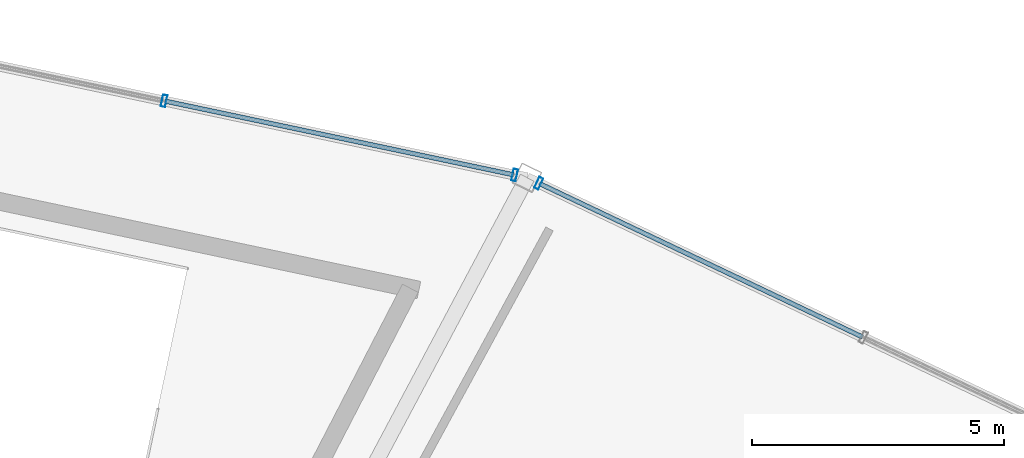
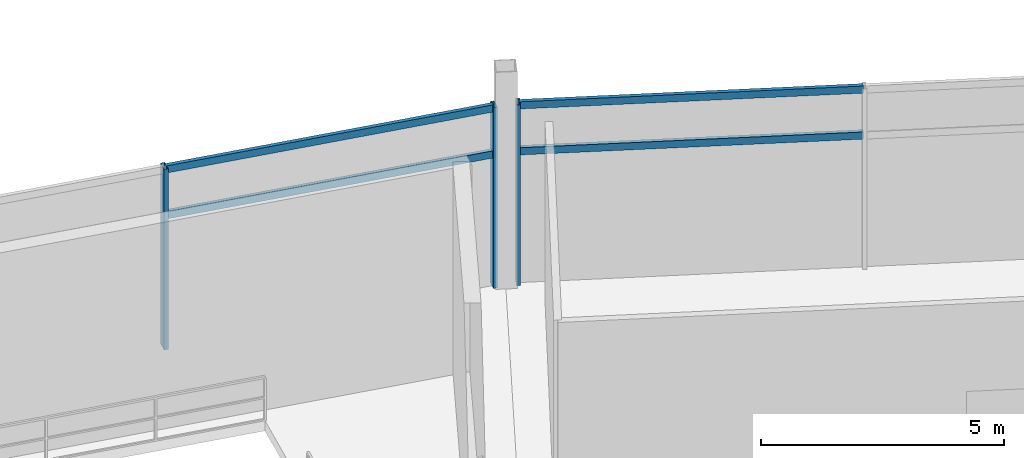
# One storey, part 66 of 103: 7 members, 2 elements without a shape of their own.
"""IFC4 building model written with IfcOpenShell, lengths in metres."""

from ifc_helpers import new_model, si_unit, direction, frame, origin, origin_2d, place, context, subcontext, project, spatial, hollow_rectangle, extrude, material, layer, layer_set, material_profile, profile_set, type_object, element, aggregate, save


model = new_model("IFC4")

# Units and contexts
model_context = context("Model", 3, precision=1e-05, world=origin(), true_north=direction((0.0, 1.0)))
body_context = subcontext(model_context, "Body", "Model", "MODEL_VIEW")
ifc_project = project(units=[si_unit("LENGTHUNIT", "METRE"), si_unit("AREAUNIT", "SQUARE_METRE"), si_unit("VOLUMEUNIT", "CUBIC_METRE"), si_unit("PLANEANGLEUNIT", "RADIAN"), si_unit("MASSUNIT", "GRAM", prefix="KILO")], contexts=[model_context])

# Site, building, storey
site_placement = place(None, origin())
site = spatial("IfcSite", under=ifc_project, at=site_placement, CompositionType="ELEMENT")
building_placement = place(site_placement, origin())
building = spatial("IfcBuilding", under=site, at=building_placement, Name="Kazemori Nagisa Stadium", CompositionType="ELEMENT")
storey_placement = place(building_placement, frame((0.0, 0.0, 25.840087890625)))
storey = spatial("IfcBuildingStorey", under=building, at=storey_placement, Name="L05", CompositionType="ELEMENT", Elevation=25.840087890625)

# Curtain wall, member
ifc_material_1 = material(Name="Anodised aluminium 6063-T5", Category="aluminium")
ifc_layer = layer(ifc_material_1, 0.239990234375, Name="Anodised aluminium 6063-T5", Category="aluminium")
ifc_layer_set = layer_set([ifc_layer], Name="Anodised aluminium 6063-T5")
curtain_wall_type = type_object("IfcCurtainWallType", Name="CW_L05R3_107", PredefinedType="USERDEFINED", material=ifc_layer_set)
curtain_wall_1_placement = place(storey_placement, origin())
curtain_wall_1 = element("IfcCurtainWall", 1, at=curtain_wall_1_placement, inside=storey, type_object=curtain_wall_type, Name="Unitised curtain wall CW-L05R3-107 L05", ObjectType="UNITISED CURTAIN WALL", PredefinedType="USERDEFINED")
ifc_material_2 = material(Name="Aluminium 6063-T5 anodised", Category="aluminium")
ifc_material_profile_1 = material_profile(ifc_material_2, hollow_rectangle(XDim=0.090087890625, YDim=0.239990234375, WallThickness=0.0048828125, at=origin_2d()), Name="ALU-MULL-90x240x5")
ifc_profile_set_1 = profile_set([ifc_material_profile_1], Name="Aluminium 6063-T5 anodised")
member_type_1 = type_object("IfcMemberType", Name="Mullion_M03", PredefinedType="MULLION", material=ifc_profile_set_1)
member_1_placement = place(storey_placement, frame((166.03515625, 182.354736328125, 0.0), z_axis=(0.0, 0.0, 1.0), x_axis=(-0.903215892654, 0.429186499388, 0.0)))
member_1 = element("IfcMember", 2, at=member_1_placement, type_object=member_type_1, Name="Curtain wall mullion CW-L05R3-107-M4", PredefinedType="MULLION", context=body_context, shape_type="SweptSolid", body=[
    extrude(hollow_rectangle(XDim=0.090087890625, YDim=0.239990234375, WallThickness=0.0048828125, at=origin_2d()), origin(), (0.0, 0.0, 1.0), 4.530029296875),
])

# Curtain wall, members
curtain_wall_2_placement = place(storey_placement, origin())
curtain_wall_2 = element("IfcCurtainWall", 3, at=curtain_wall_2_placement, inside=storey, type_object=curtain_wall_type, Name="Unitised curtain wall CW-L05R3-107 L05", ObjectType="UNITISED CURTAIN WALL", PredefinedType="USERDEFINED")
member_2_placement = place(storey_placement, frame((165.55517578125, 182.51708984375, 0.0), z_axis=(0.0, 0.0, 1.0), x_axis=(-0.978344955407, 0.206981033502, 0.0)))
member_2 = element("IfcMember", 4, at=member_2_placement, type_object=member_type_1, Name="Curtain wall mullion CW-L05R3-107-M1", PredefinedType="MULLION", context=body_context, shape_type="SweptSolid", body=[
    extrude(hollow_rectangle(XDim=0.090087890625, YDim=0.239990234375, WallThickness=0.0048828125, at=origin_2d()), origin(), (0.0, 0.0, 1.0), 4.530029296875),
])
member_3_placement = place(storey_placement, frame((158.595947265625, 183.9892578125, 0.0), z_axis=(0.0, 0.0, 1.0), x_axis=(-0.978344955407, 0.206981033502, 0.0)))
member_3 = element("IfcMember", 5, at=member_3_placement, type_object=member_type_1, Name="Curtain wall mullion CW-L05R3-107-M2", PredefinedType="MULLION", context=body_context, shape_type="SweptSolid", body=[
    extrude(hollow_rectangle(XDim=0.090087890625, YDim=0.239990234375, WallThickness=0.0048828125, at=origin_2d()), origin(), (0.0, 0.0, 1.0), 4.530029296875),
])

# Member
ifc_material_profile_2 = material_profile(ifc_material_2, hollow_rectangle(XDim=0.090087890625, YDim=0.179931640625, WallThickness=0.0048828125, at=origin_2d()), Name="ALU-TRAN-90x180x5")
ifc_profile_set_2 = profile_set([ifc_material_profile_2], Name="Aluminium 6063-T5 anodised")
member_type_2 = type_object("IfcMemberType", Name="Transom_T03", PredefinedType="USERDEFINED", material=ifc_profile_set_2)
member_4_placement = place(storey_placement, frame((172.461181640625, 179.30126953125, 3.306884765625), z_axis=(-0.903215145866, 0.429188070989, 0.0), x_axis=(-0.429188070989, -0.903215145866, 0.0)))
member_4 = element("IfcMember", 6, at=member_4_placement, type_object=member_type_2, Name="Curtain wall transom CW-L05R3-107-T3-mid", ObjectType="TRANSOM", PredefinedType="USERDEFINED", context=body_context, shape_type="SweptSolid", body=[
    extrude(hollow_rectangle(XDim=0.090087890625, YDim=0.179931640625, WallThickness=0.0048828125, at=origin_2d()), origin(), (0.0, 0.0, 1.0), 7.0947265625),
])

member_5_placement = place(storey_placement, frame((172.461181640625, 179.30126953125, 4.4599609375), z_axis=(-0.903215145866, 0.429188070989, 0.0), x_axis=(-0.429188070989, -0.903215145866, 0.0)))
member_5 = element("IfcMember", 7, at=member_5_placement, type_object=member_type_2, Name="Curtain wall transom CW-L05R3-107-T3-head", ObjectType="TRANSOM", PredefinedType="USERDEFINED", context=body_context, shape_type="SweptSolid", body=[
    extrude(hollow_rectangle(XDim=0.090087890625, YDim=0.179931640625, WallThickness=0.0048828125, at=origin_2d()), origin(), (0.0, 0.0, 1.0), 7.0947265625),
])

aggregate(curtain_wall_1, [member_1, member_4, member_5])

member_6_placement = place(storey_placement, frame((165.53564453125, 182.521240234375, 3.306884765625), z_axis=(-0.97834311718, 0.206989722128, 0.0), x_axis=(-0.206989722128, -0.97834311718, 0.0)))
member_6 = element("IfcMember", 8, at=member_6_placement, type_object=member_type_2, Name="Curtain wall transom CW-L05R3-107-T1-mid", ObjectType="TRANSOM", PredefinedType="USERDEFINED", context=body_context, shape_type="SweptSolid", body=[
    extrude(hollow_rectangle(XDim=0.090087890625, YDim=0.179931640625, WallThickness=0.0048828125, at=origin_2d()), origin(), (0.0, 0.0, 1.0), 7.0732421875),
])

member_7_placement = place(storey_placement, frame((165.53564453125, 182.521240234375, 4.4599609375), z_axis=(-0.97834311718, 0.206989722128, 0.0), x_axis=(-0.206989722128, -0.97834311718, 0.0)))
member_7 = element("IfcMember", 9, at=member_7_placement, type_object=member_type_2, Name="Curtain wall transom CW-L05R3-107-T1-head", ObjectType="TRANSOM", PredefinedType="USERDEFINED", context=body_context, shape_type="SweptSolid", body=[
    extrude(hollow_rectangle(XDim=0.090087890625, YDim=0.179931640625, WallThickness=0.0048828125, at=origin_2d()), origin(), (0.0, 0.0, 1.0), 7.0732421875),
])

aggregate(curtain_wall_2, [member_2, member_3, member_6, member_7])

save(model, "model.ifc")
